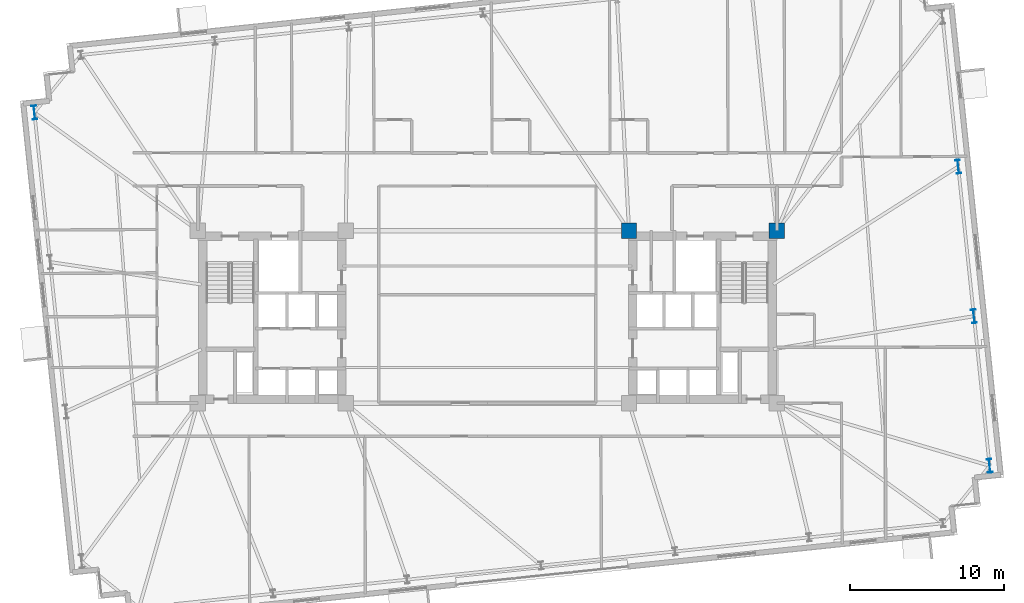
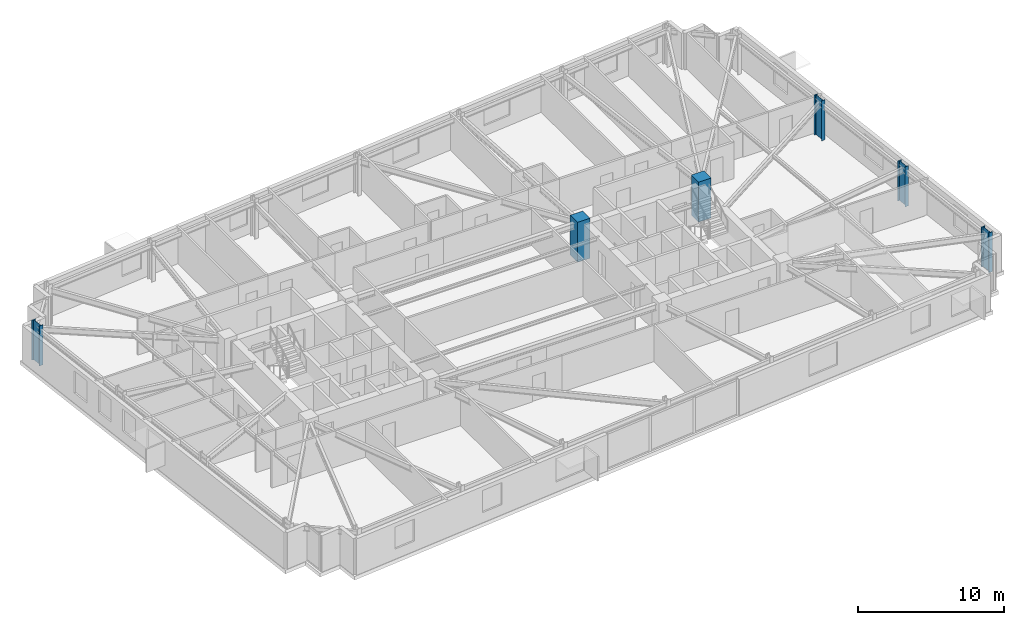
# One storey, part 2 of 23: 6 columns.
"""IFC4 building model written with IfcOpenShell, lengths in metres."""

from ifc_helpers import new_model, si_unit, direction, frame, origin, origin_2d, place, context, subcontext, project, spatial, rectangle, i_section, extrude, material, material_profile, profile_set, type_object, element, save


model = new_model("IFC4")

# Units and contexts
model_context = context("Model", 3, precision=1e-05, world=origin(), true_north=direction((0.0, 1.0)))
body_context = subcontext(model_context, "Body", "Model", "MODEL_VIEW")
ifc_project = project(units=[si_unit("LENGTHUNIT", "METRE"), si_unit("AREAUNIT", "SQUARE_METRE"), si_unit("VOLUMEUNIT", "CUBIC_METRE"), si_unit("PLANEANGLEUNIT", "RADIAN"), si_unit("MASSUNIT", "GRAM", prefix="KILO")], contexts=[model_context])

# Site, building, storey
site_placement = place(None, origin())
site = spatial("IfcSite", under=ifc_project, at=site_placement, CompositionType="ELEMENT")
building_placement = place(site_placement, origin())
building = spatial("IfcBuilding", under=site, at=building_placement, Name="Qobustan Lattice House", CompositionType="ELEMENT")
storey_placement = place(building_placement, frame((0.0, 0.0, 95.75)))
storey = spatial("IfcBuildingStorey", under=building, at=storey_placement, Name="L26", CompositionType="ELEMENT", Elevation=95.75)

# Columns
ifc_material_1 = material(Name="Concrete C60/75", Category="concrete")
ifc_material_profile_1 = material_profile(ifc_material_1, rectangle(XDim=1.0, YDim=1.0, at=origin_2d()), Name="RC1000x1000")
ifc_profile_set_1 = profile_set([ifc_material_profile_1], Name="Concrete C60/75")
column_type_1 = type_object("IfcColumnType", Name="COL-RC-1000", PredefinedType="COLUMN", material=ifc_profile_set_1)
for number, where, z_axis, x_axis, name in (
    (1, (9.199951171875, 5.60009765625, 0.0), (0.0, 0.0, 1.0), (1.0, 0.0, 0.0), "L26 core mega-column CE-NW"),
    (2, (18.800048828125, 5.60009765625, 0.0), (0.0, 0.0, 1.0), (1.0, 0.0, 0.0), "L26 core mega-column CE-NE"),
):
    element("IfcColumn", number, at=place(storey_placement, frame(where, z_axis=z_axis, x_axis=x_axis)), inside=storey, type_object=column_type_1, Name=name, PredefinedType="COLUMN", context=body_context, shape_type="SweptSolid", body=[
        extrude(rectangle(XDim=1.0, YDim=1.0, at=origin_2d()), origin(), (0.0, 0.0, 1.0), 3.35009765625),
    ])
ifc_material_2 = material(Name="Steel S355", Category="steel")
ifc_material_profile_2 = material_profile(ifc_material_2, i_section(OverallWidth=0.300048828125, OverallDepth=0.89990234375, WebThickness=0.0185546875, FlangeThickness=0.034912109375, FilletRadius=0.030029296875, at=origin_2d()), Name="HEB900")
ifc_profile_set_2 = profile_set([ifc_material_profile_2], Name="Steel S355")
column_type_2 = type_object("IfcColumnType", Name="COL-ST-HEB900", PredefinedType="COLUMN", material=ifc_profile_set_2)
for number, where, z_axis, x_axis, name in (
    (3, (32.618896484375, -9.67041015625, 0.0), (0.0, 0.0, 1.0), (0.994521895368, 0.104528463268, 0.0), "L26 B2 perimeter column E1"),
    (4, (31.597900390625, 0.042724609375, 0.0), (0.0, 0.0, 1.0), (0.994521895368, 0.104528463268, 0.0), "L26 B2 perimeter column E2"),
    (5, (30.5771484375, 9.755859375, 0.0), (0.0, 0.0, 1.0), (0.994521895368, 0.104528463268, 0.0), "L26 B2 perimeter column E3"),
    (6, (-29.4189453125, 13.2705078125, 0.0), (0.0, 0.0, 1.0), (0.994521895368, 0.104528463268, 0.0), "L26 B2 perimeter column W1"),
):
    element("IfcColumn", number, at=place(storey_placement, frame(where, z_axis=z_axis, x_axis=x_axis)), inside=storey, type_object=column_type_2, Name=name, PredefinedType="COLUMN", context=body_context, shape_type="SweptSolid", body=[
        extrude(i_section(OverallWidth=0.300048828125, OverallDepth=0.89990234375, WebThickness=0.0185546875, FlangeThickness=0.034912109375, FilletRadius=0.030029296875, at=origin_2d()), origin(), (0.0, 0.0, 1.0), 3.35009765625),
    ])

save(model, "model.ifc")
